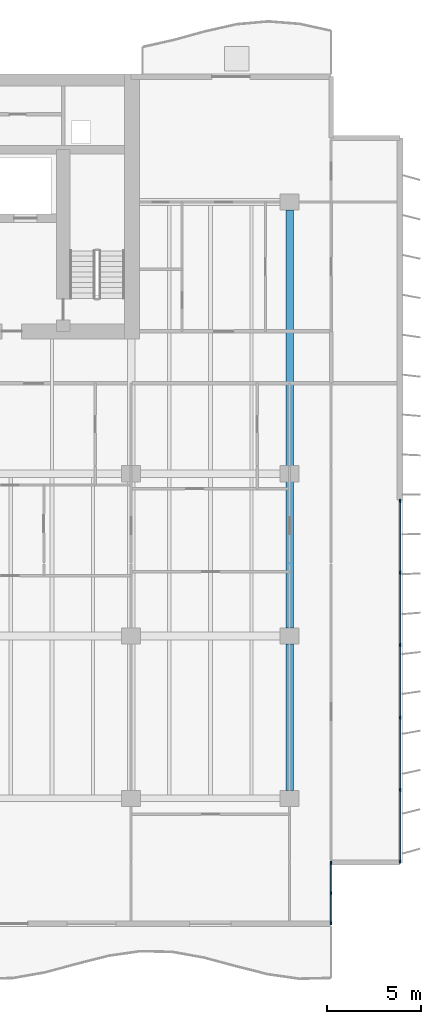
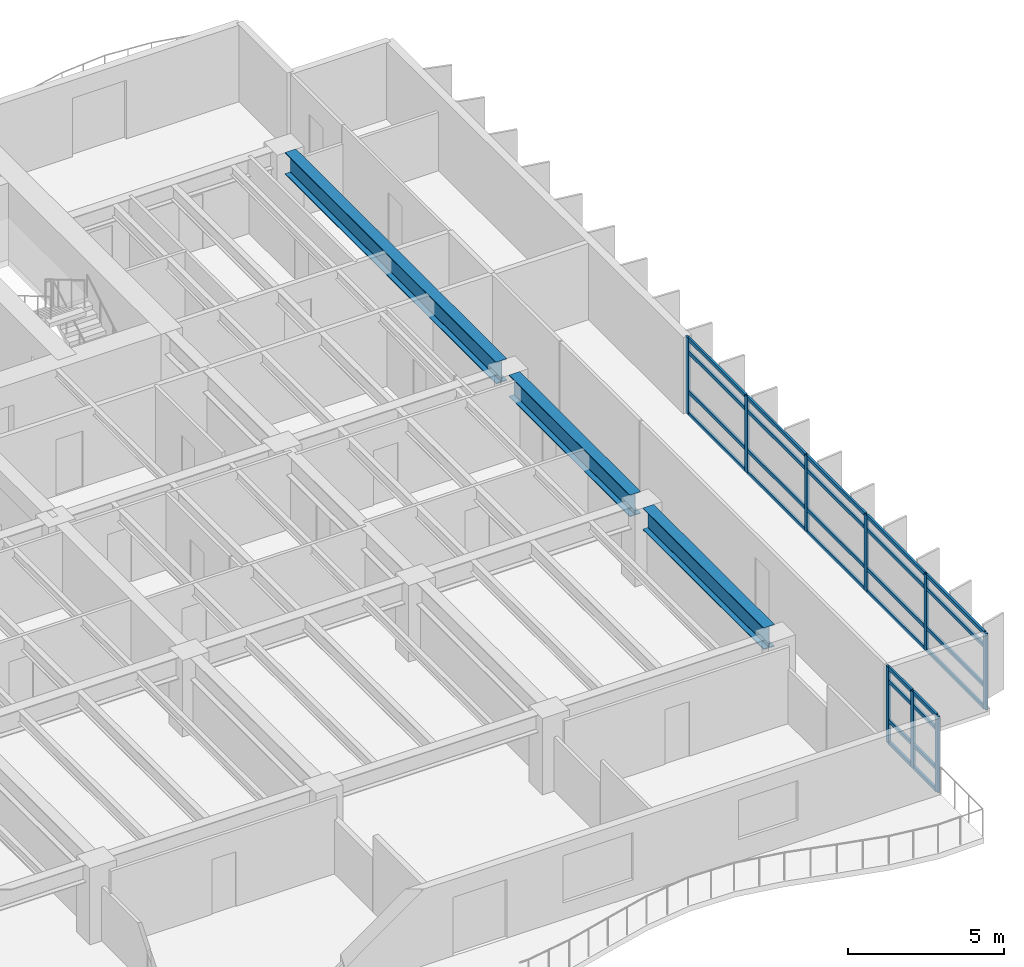
# One storey, part 4 of 16: 37 members, 3 beams, 2 elements without a shape of their own.
"""IFC4 building model written with IfcOpenShell, lengths in metres."""

from ifc_helpers import new_model, si_unit, direction, frame, origin, origin_2d, place, context, subcontext, project, spatial, rectangle, i_section, extrude, material, layer, layer_set, material_profile, profile_set, type_object, element, aggregate, save


model = new_model("IFC4")

# Units and contexts
model_context = context("Model", 3, precision=1e-05, world=origin(), true_north=direction((0.0, 1.0)))
body_context = subcontext(model_context, "Body", "Model", "MODEL_VIEW")
ifc_project = project(units=[si_unit("LENGTHUNIT", "METRE"), si_unit("AREAUNIT", "SQUARE_METRE"), si_unit("VOLUMEUNIT", "CUBIC_METRE"), si_unit("PLANEANGLEUNIT", "RADIAN"), si_unit("MASSUNIT", "GRAM", prefix="KILO")], contexts=[model_context])

# Site, building, storey
site_placement = place(None, origin())
site = spatial("IfcSite", under=ifc_project, at=site_placement, CompositionType="ELEMENT")
building_placement = place(site_placement, origin())
building = spatial("IfcBuilding", under=site, at=building_placement, Name="Caelmar Bay Residences", CompositionType="ELEMENT")
storey_placement = place(building_placement, frame((0.0, 0.0, 148.800048828125)))
storey = spatial("IfcBuildingStorey", under=building, at=storey_placement, Name="L41", CompositionType="ELEMENT", Elevation=148.800048828125)

# Beams
ifc_material_1 = material(Name="Steel ASTM A992 Grade 50", Category="steel")
ifc_material_profile_1 = material_profile(ifc_material_1, i_section(OverallWidth=0.40087890625, OverallDepth=0.861083984375, WebThickness=0.019775390625, FlangeThickness=0.032470703125, FilletRadius=0.017822265625, at=origin_2d()), Name="W33X221")
ifc_profile_set_1 = profile_set([ifc_material_profile_1], Name="Steel ASTM A992 Grade 50")
beam_type = type_object("IfcBeamType", Name="BM-GRD-W33X221", PredefinedType="BEAM", material=ifc_profile_set_1)
for number, where, z_axis, x_axis, name in (
    (1, (67.89990234375, 12.614990234375, 2.5693359375), (0.0, 1.0, 0.0), (-1.0, 0.0, 0.0), "L41 North-South Girder X=67.90 (12.2-20.8)"),
    (2, (67.89990234375, 21.215087890625, 2.5693359375), (0.0, 1.0, 0.0), (-1.0, 0.0, 0.0), "L41 North-South Girder X=67.90 (20.8-29.4)"),
):
    element("IfcBeam", number, at=place(storey_placement, frame(where, z_axis=z_axis, x_axis=x_axis)), inside=storey, type_object=beam_type, Name=name, PredefinedType="BEAM", context=body_context, shape_type="SweptSolid", body=[
        extrude(i_section(OverallWidth=0.40087890625, OverallDepth=0.861083984375, WebThickness=0.019775390625, FlangeThickness=0.032470703125, FilletRadius=0.017822265625, at=origin_2d()), origin(), (0.0, 0.0, 1.0), 7.77001953125),
    ])
beam_placement = place(storey_placement, frame((67.89990234375, 29.81494140625, 2.5693359375), z_axis=(0.0, 1.0, 0.0), x_axis=(-1.0, 0.0, 0.0)))
element("IfcBeam", 3, at=beam_placement, inside=storey, type_object=beam_type, Name="L41 North-South Girder X=67.90 (29.4-43.8)", PredefinedType="BEAM", context=body_context, shape_type="SweptSolid", body=[
    extrude(i_section(OverallWidth=0.40087890625, OverallDepth=0.861083984375, WebThickness=0.019775390625, FlangeThickness=0.032470703125, FilletRadius=0.017822265625, at=origin_2d()), origin(), (0.0, 0.0, 1.0), 13.570068359375),
])

# Curtain wall, members
ifc_material_2 = material(Name="Anodised bronze aluminium 6063-T6 and laminated glass", Category="aluminium")
ifc_layer_1 = layer(ifc_material_2, 0.179931640625)
ifc_layer_set_1 = layer_set([ifc_layer_1], Name="Anodised bronze aluminium 6063-T6 and laminated glass")
curtain_wall_type_1 = type_object("IfcCurtainWallType", Name="CW6-NTC", PredefinedType="NOTDEFINED", material=ifc_layer_set_1)
curtain_wall_1_placement = place(storey_placement, origin())
curtain_wall_1 = element("IfcCurtainWall", 4, at=curtain_wall_1_placement, inside=storey, type_object=curtain_wall_type_1, Name="CW6 curtain wall L41", PredefinedType="NOTDEFINED")
ifc_material_3 = material(Name="Anodised bronze aluminium 6063-T6", Category="aluminium")
ifc_material_profile_2 = material_profile(ifc_material_3, rectangle(XDim=0.080078125, YDim=0.179931640625, at=origin_2d()), Name="CWM-80X180")
ifc_profile_set_2 = profile_set([ifc_material_profile_2], Name="Anodised bronze aluminium 6063-T6")
member_type_1 = type_object("IfcMemberType", Name="CWM-180", PredefinedType="MULLION", material=ifc_profile_set_2)
member_1_placement = place(storey_placement, frame((70.10009765625, 5.590087890625, 0.0), z_axis=(0.0, 0.0, 1.0), x_axis=(-1.0, 0.0, 0.0)))
member_1 = element("IfcMember", 5, at=member_1_placement, type_object=member_type_1, Name="CW6 mullion 1", PredefinedType="MULLION", context=body_context, shape_type="SweptSolid", body=[
    extrude(rectangle(XDim=0.080078125, YDim=0.179931640625, at=origin_2d()), origin(), (0.0, 0.0, 1.0), 3.0),
])
member_2_placement = place(storey_placement, frame((70.10009765625, 7.175048828125, 0.0), z_axis=(0.0, 0.0, 1.0), x_axis=(-1.0, 0.0, 0.0)))
member_2 = element("IfcMember", 6, at=member_2_placement, type_object=member_type_1, Name="CW6 mullion 2", PredefinedType="MULLION", context=body_context, shape_type="SweptSolid", body=[
    extrude(rectangle(XDim=0.080078125, YDim=0.179931640625, at=origin_2d()), origin(), (0.0, 0.0, 1.0), 3.0),
])
member_3_placement = place(storey_placement, frame((70.10009765625, 8.760009765625, 0.0), z_axis=(0.0, 0.0, 1.0), x_axis=(-1.0, 0.0, 0.0)))
member_3 = element("IfcMember", 7, at=member_3_placement, type_object=member_type_1, Name="CW6 mullion 3", PredefinedType="MULLION", context=body_context, shape_type="SweptSolid", body=[
    extrude(rectangle(XDim=0.080078125, YDim=0.179931640625, at=origin_2d()), origin(), (0.0, 0.0, 1.0), 3.0),
])

ifc_layer_2 = layer(ifc_material_2, 0.179931640625)
ifc_layer_set_2 = layer_set([ifc_layer_2], Name="Anodised bronze aluminium 6063-T6 and laminated glass")
curtain_wall_type_2 = type_object("IfcCurtainWallType", Name="CW3-Z2", PredefinedType="NOTDEFINED", material=ifc_layer_set_2)
curtain_wall_2_placement = place(storey_placement, origin())
curtain_wall_2 = element("IfcCurtainWall", 8, at=curtain_wall_2_placement, inside=storey, type_object=curtain_wall_type_2, Name="CW3 curtain wall L41", PredefinedType="NOTDEFINED")
member_4_placement = place(storey_placement, frame((73.75, 27.9599609375, 0.0), z_axis=(0.0, 0.0, 1.0), x_axis=(1.0, 0.0, 0.0)))
member_4 = element("IfcMember", 9, at=member_4_placement, type_object=member_type_1, Name="CW3 mullion 1", PredefinedType="MULLION", context=body_context, shape_type="SweptSolid", body=[
    extrude(rectangle(XDim=0.080078125, YDim=0.179931640625, at=origin_2d()), origin(), (0.0, 0.0, 1.0), 3.0),
])
member_5_placement = place(storey_placement, frame((73.75, 24.159912109375, 0.0), z_axis=(0.0, 0.0, 1.0), x_axis=(1.0, 0.0, 0.0)))
member_5 = element("IfcMember", 10, at=member_5_placement, type_object=member_type_1, Name="CW3 mullion 2", PredefinedType="MULLION", context=body_context, shape_type="SweptSolid", body=[
    extrude(rectangle(XDim=0.080078125, YDim=0.179931640625, at=origin_2d()), origin(), (0.0, 0.0, 1.0), 3.0),
])
member_6_placement = place(storey_placement, frame((73.75, 20.320068359375, 0.0), z_axis=(0.0, 0.0, 1.0), x_axis=(1.0, 0.0, 0.0)))
member_6 = element("IfcMember", 11, at=member_6_placement, type_object=member_type_1, Name="CW3 mullion 3", PredefinedType="MULLION", context=body_context, shape_type="SweptSolid", body=[
    extrude(rectangle(XDim=0.080078125, YDim=0.179931640625, at=origin_2d()), origin(), (0.0, 0.0, 1.0), 3.0),
])
member_7_placement = place(storey_placement, frame((73.75, 16.47998046875, 0.0), z_axis=(0.0, 0.0, 1.0), x_axis=(1.0, 0.0, 0.0)))
member_7 = element("IfcMember", 12, at=member_7_placement, type_object=member_type_1, Name="CW3 mullion 4", PredefinedType="MULLION", context=body_context, shape_type="SweptSolid", body=[
    extrude(rectangle(XDim=0.080078125, YDim=0.179931640625, at=origin_2d()), origin(), (0.0, 0.0, 1.0), 3.0),
])
member_8_placement = place(storey_placement, frame((73.75, 12.639892578125, 0.0), z_axis=(0.0, 0.0, 1.0), x_axis=(1.0, 0.0, 0.0)))
member_8 = element("IfcMember", 13, at=member_8_placement, type_object=member_type_1, Name="CW3 mullion 5", PredefinedType="MULLION", context=body_context, shape_type="SweptSolid", body=[
    extrude(rectangle(XDim=0.080078125, YDim=0.179931640625, at=origin_2d()), origin(), (0.0, 0.0, 1.0), 3.0),
])
member_9_placement = place(storey_placement, frame((73.75, 8.840087890625, 0.0), z_axis=(0.0, 0.0, 1.0), x_axis=(1.0, 0.0, 0.0)))
member_9 = element("IfcMember", 14, at=member_9_placement, type_object=member_type_1, Name="CW3 mullion 6", PredefinedType="MULLION", context=body_context, shape_type="SweptSolid", body=[
    extrude(rectangle(XDim=0.080078125, YDim=0.179931640625, at=origin_2d()), origin(), (0.0, 0.0, 1.0), 3.0),
])

# Member
ifc_material_profile_3 = material_profile(ifc_material_3, rectangle(XDim=0.080078125, YDim=0.139892578125, at=origin_2d()), Name="CWT-80X140")
ifc_profile_set_3 = profile_set([ifc_material_profile_3], Name="Anodised bronze aluminium 6063-T6")
member_type_2 = type_object("IfcMemberType", Name="CWT-140", PredefinedType="NOTDEFINED", material=ifc_profile_set_3)
member_10_placement = place(storey_placement, frame((70.10009765625, 5.6298828125, 0.0400390625), z_axis=(0.0, 1.0, 0.0), x_axis=(-1.0, 0.0, 0.0)))
member_10 = element("IfcMember", 15, at=member_10_placement, type_object=member_type_2, Name="CW6 transom 1.1", ObjectType="TRANSOM", PredefinedType="USERDEFINED", context=body_context, shape_type="SweptSolid", body=[
    extrude(rectangle(XDim=0.080078125, YDim=0.139892578125, at=origin_2d()), origin(), (0.0, 0.0, 1.0), 1.505126953125),
])

member_11_placement = place(storey_placement, frame((70.10009765625, 5.6298828125, 0.89990234375), z_axis=(0.0, 1.0, 0.0), x_axis=(-1.0, 0.0, 0.0)))
member_11 = element("IfcMember", 16, at=member_11_placement, type_object=member_type_2, Name="CW6 transom 1.2", ObjectType="TRANSOM", PredefinedType="USERDEFINED", context=body_context, shape_type="SweptSolid", body=[
    extrude(rectangle(XDim=0.080078125, YDim=0.139892578125, at=origin_2d()), origin(), (0.0, 0.0, 1.0), 1.505126953125),
])

member_12_placement = place(storey_placement, frame((70.10009765625, 5.6298828125, 2.449951171875), z_axis=(0.0, 1.0, 0.0), x_axis=(-1.0, 0.0, 0.0)))
member_12 = element("IfcMember", 17, at=member_12_placement, type_object=member_type_2, Name="CW6 transom 1.3", ObjectType="TRANSOM", PredefinedType="USERDEFINED", context=body_context, shape_type="SweptSolid", body=[
    extrude(rectangle(XDim=0.080078125, YDim=0.139892578125, at=origin_2d()), origin(), (0.0, 0.0, 1.0), 1.505126953125),
])

member_13_placement = place(storey_placement, frame((70.10009765625, 5.6298828125, 2.9599609375), z_axis=(0.0, 1.0, 0.0), x_axis=(-1.0, 0.0, 0.0)))
member_13 = element("IfcMember", 18, at=member_13_placement, type_object=member_type_2, Name="CW6 transom 1.4", ObjectType="TRANSOM", PredefinedType="USERDEFINED", context=body_context, shape_type="SweptSolid", body=[
    extrude(rectangle(XDim=0.080078125, YDim=0.139892578125, at=origin_2d()), origin(), (0.0, 0.0, 1.0), 1.505126953125),
])

member_14_placement = place(storey_placement, frame((70.10009765625, 7.215087890625, 0.0400390625), z_axis=(0.0, 1.0, 0.0), x_axis=(-1.0, 0.0, 0.0)))
member_14 = element("IfcMember", 19, at=member_14_placement, type_object=member_type_2, Name="CW6 transom 2.1", ObjectType="TRANSOM", PredefinedType="USERDEFINED", context=body_context, shape_type="SweptSolid", body=[
    extrude(rectangle(XDim=0.080078125, YDim=0.139892578125, at=origin_2d()), origin(), (0.0, 0.0, 1.0), 1.5048828125),
])

member_15_placement = place(storey_placement, frame((70.10009765625, 7.215087890625, 0.89990234375), z_axis=(0.0, 1.0, 0.0), x_axis=(-1.0, 0.0, 0.0)))
member_15 = element("IfcMember", 20, at=member_15_placement, type_object=member_type_2, Name="CW6 transom 2.2", ObjectType="TRANSOM", PredefinedType="USERDEFINED", context=body_context, shape_type="SweptSolid", body=[
    extrude(rectangle(XDim=0.080078125, YDim=0.139892578125, at=origin_2d()), origin(), (0.0, 0.0, 1.0), 1.5048828125),
])

member_16_placement = place(storey_placement, frame((70.10009765625, 7.215087890625, 2.449951171875), z_axis=(0.0, 1.0, 0.0), x_axis=(-1.0, 0.0, 0.0)))
member_16 = element("IfcMember", 21, at=member_16_placement, type_object=member_type_2, Name="CW6 transom 2.3", ObjectType="TRANSOM", PredefinedType="USERDEFINED", context=body_context, shape_type="SweptSolid", body=[
    extrude(rectangle(XDim=0.080078125, YDim=0.139892578125, at=origin_2d()), origin(), (0.0, 0.0, 1.0), 1.5048828125),
])

member_17_placement = place(storey_placement, frame((70.10009765625, 7.215087890625, 2.9599609375), z_axis=(0.0, 1.0, 0.0), x_axis=(-1.0, 0.0, 0.0)))
member_17 = element("IfcMember", 22, at=member_17_placement, type_object=member_type_2, Name="CW6 transom 2.4", ObjectType="TRANSOM", PredefinedType="USERDEFINED", context=body_context, shape_type="SweptSolid", body=[
    extrude(rectangle(XDim=0.080078125, YDim=0.139892578125, at=origin_2d()), origin(), (0.0, 0.0, 1.0), 1.5048828125),
])

aggregate(curtain_wall_1, [member_1, member_2, member_3, member_10, member_11, member_12, member_13, member_14, member_15, member_16, member_17])

member_18_placement = place(storey_placement, frame((73.75, 27.919921875, 0.0400390625), z_axis=(0.0, -1.0, 0.0), x_axis=(1.0, 0.0, 0.0)))
member_18 = element("IfcMember", 23, at=member_18_placement, type_object=member_type_2, Name="CW3 transom 1.1", ObjectType="TRANSOM", PredefinedType="USERDEFINED", context=body_context, shape_type="SweptSolid", body=[
    extrude(rectangle(XDim=0.080078125, YDim=0.139892578125, at=origin_2d()), origin(), (0.0, 0.0, 1.0), 3.719970703125),
])

member_19_placement = place(storey_placement, frame((73.75, 27.919921875, 0.89990234375), z_axis=(0.0, -1.0, 0.0), x_axis=(1.0, 0.0, 0.0)))
member_19 = element("IfcMember", 24, at=member_19_placement, type_object=member_type_2, Name="CW3 transom 1.2", ObjectType="TRANSOM", PredefinedType="USERDEFINED", context=body_context, shape_type="SweptSolid", body=[
    extrude(rectangle(XDim=0.080078125, YDim=0.139892578125, at=origin_2d()), origin(), (0.0, 0.0, 1.0), 3.719970703125),
])

member_20_placement = place(storey_placement, frame((73.75, 27.919921875, 2.449951171875), z_axis=(0.0, -1.0, 0.0), x_axis=(1.0, 0.0, 0.0)))
member_20 = element("IfcMember", 25, at=member_20_placement, type_object=member_type_2, Name="CW3 transom 1.3", ObjectType="TRANSOM", PredefinedType="USERDEFINED", context=body_context, shape_type="SweptSolid", body=[
    extrude(rectangle(XDim=0.080078125, YDim=0.139892578125, at=origin_2d()), origin(), (0.0, 0.0, 1.0), 3.719970703125),
])

member_21_placement = place(storey_placement, frame((73.75, 27.919921875, 2.9599609375), z_axis=(0.0, -1.0, 0.0), x_axis=(1.0, 0.0, 0.0)))
member_21 = element("IfcMember", 26, at=member_21_placement, type_object=member_type_2, Name="CW3 transom 1.4", ObjectType="TRANSOM", PredefinedType="USERDEFINED", context=body_context, shape_type="SweptSolid", body=[
    extrude(rectangle(XDim=0.080078125, YDim=0.139892578125, at=origin_2d()), origin(), (0.0, 0.0, 1.0), 3.719970703125),
])

member_22_placement = place(storey_placement, frame((73.75, 24.1201171875, 0.0400390625), z_axis=(0.0, -1.0, 0.0), x_axis=(1.0, 0.0, 0.0)))
member_22 = element("IfcMember", 27, at=member_22_placement, type_object=member_type_2, Name="CW3 transom 2.1", ObjectType="TRANSOM", PredefinedType="USERDEFINED", context=body_context, shape_type="SweptSolid", body=[
    extrude(rectangle(XDim=0.080078125, YDim=0.139892578125, at=origin_2d()), origin(), (0.0, 0.0, 1.0), 3.760009765625),
])

member_23_placement = place(storey_placement, frame((73.75, 24.1201171875, 0.89990234375), z_axis=(0.0, -1.0, 0.0), x_axis=(1.0, 0.0, 0.0)))
member_23 = element("IfcMember", 28, at=member_23_placement, type_object=member_type_2, Name="CW3 transom 2.2", ObjectType="TRANSOM", PredefinedType="USERDEFINED", context=body_context, shape_type="SweptSolid", body=[
    extrude(rectangle(XDim=0.080078125, YDim=0.139892578125, at=origin_2d()), origin(), (0.0, 0.0, 1.0), 3.760009765625),
])

member_24_placement = place(storey_placement, frame((73.75, 24.1201171875, 2.449951171875), z_axis=(0.0, -1.0, 0.0), x_axis=(1.0, 0.0, 0.0)))
member_24 = element("IfcMember", 29, at=member_24_placement, type_object=member_type_2, Name="CW3 transom 2.3", ObjectType="TRANSOM", PredefinedType="USERDEFINED", context=body_context, shape_type="SweptSolid", body=[
    extrude(rectangle(XDim=0.080078125, YDim=0.139892578125, at=origin_2d()), origin(), (0.0, 0.0, 1.0), 3.760009765625),
])

member_25_placement = place(storey_placement, frame((73.75, 24.1201171875, 2.9599609375), z_axis=(0.0, -1.0, 0.0), x_axis=(1.0, 0.0, 0.0)))
member_25 = element("IfcMember", 30, at=member_25_placement, type_object=member_type_2, Name="CW3 transom 2.4", ObjectType="TRANSOM", PredefinedType="USERDEFINED", context=body_context, shape_type="SweptSolid", body=[
    extrude(rectangle(XDim=0.080078125, YDim=0.139892578125, at=origin_2d()), origin(), (0.0, 0.0, 1.0), 3.760009765625),
])

member_26_placement = place(storey_placement, frame((73.75, 20.280029296875, 0.0400390625), z_axis=(0.0, -1.0, 0.0), x_axis=(1.0, 0.0, 0.0)))
member_26 = element("IfcMember", 31, at=member_26_placement, type_object=member_type_2, Name="CW3 transom 3.1", ObjectType="TRANSOM", PredefinedType="USERDEFINED", context=body_context, shape_type="SweptSolid", body=[
    extrude(rectangle(XDim=0.080078125, YDim=0.139892578125, at=origin_2d()), origin(), (0.0, 0.0, 1.0), 3.760009765625),
])

member_27_placement = place(storey_placement, frame((73.75, 20.280029296875, 0.89990234375), z_axis=(0.0, -1.0, 0.0), x_axis=(1.0, 0.0, 0.0)))
member_27 = element("IfcMember", 32, at=member_27_placement, type_object=member_type_2, Name="CW3 transom 3.2", ObjectType="TRANSOM", PredefinedType="USERDEFINED", context=body_context, shape_type="SweptSolid", body=[
    extrude(rectangle(XDim=0.080078125, YDim=0.139892578125, at=origin_2d()), origin(), (0.0, 0.0, 1.0), 3.760009765625),
])

member_28_placement = place(storey_placement, frame((73.75, 20.280029296875, 2.449951171875), z_axis=(0.0, -1.0, 0.0), x_axis=(1.0, 0.0, 0.0)))
member_28 = element("IfcMember", 33, at=member_28_placement, type_object=member_type_2, Name="CW3 transom 3.3", ObjectType="TRANSOM", PredefinedType="USERDEFINED", context=body_context, shape_type="SweptSolid", body=[
    extrude(rectangle(XDim=0.080078125, YDim=0.139892578125, at=origin_2d()), origin(), (0.0, 0.0, 1.0), 3.760009765625),
])

member_29_placement = place(storey_placement, frame((73.75, 20.280029296875, 2.9599609375), z_axis=(0.0, -1.0, 0.0), x_axis=(1.0, 0.0, 0.0)))
member_29 = element("IfcMember", 34, at=member_29_placement, type_object=member_type_2, Name="CW3 transom 3.4", ObjectType="TRANSOM", PredefinedType="USERDEFINED", context=body_context, shape_type="SweptSolid", body=[
    extrude(rectangle(XDim=0.080078125, YDim=0.139892578125, at=origin_2d()), origin(), (0.0, 0.0, 1.0), 3.760009765625),
])

member_30_placement = place(storey_placement, frame((73.75, 16.43994140625, 0.0400390625), z_axis=(0.0, -1.0, 0.0), x_axis=(1.0, 0.0, 0.0)))
member_30 = element("IfcMember", 35, at=member_30_placement, type_object=member_type_2, Name="CW3 transom 4.1", ObjectType="TRANSOM", PredefinedType="USERDEFINED", context=body_context, shape_type="SweptSolid", body=[
    extrude(rectangle(XDim=0.080078125, YDim=0.139892578125, at=origin_2d()), origin(), (0.0, 0.0, 1.0), 3.760009765625),
])

member_31_placement = place(storey_placement, frame((73.75, 16.43994140625, 0.89990234375), z_axis=(0.0, -1.0, 0.0), x_axis=(1.0, 0.0, 0.0)))
member_31 = element("IfcMember", 36, at=member_31_placement, type_object=member_type_2, Name="CW3 transom 4.2", ObjectType="TRANSOM", PredefinedType="USERDEFINED", context=body_context, shape_type="SweptSolid", body=[
    extrude(rectangle(XDim=0.080078125, YDim=0.139892578125, at=origin_2d()), origin(), (0.0, 0.0, 1.0), 3.760009765625),
])

member_32_placement = place(storey_placement, frame((73.75, 16.43994140625, 2.449951171875), z_axis=(0.0, -1.0, 0.0), x_axis=(1.0, 0.0, 0.0)))
member_32 = element("IfcMember", 37, at=member_32_placement, type_object=member_type_2, Name="CW3 transom 4.3", ObjectType="TRANSOM", PredefinedType="USERDEFINED", context=body_context, shape_type="SweptSolid", body=[
    extrude(rectangle(XDim=0.080078125, YDim=0.139892578125, at=origin_2d()), origin(), (0.0, 0.0, 1.0), 3.760009765625),
])

member_33_placement = place(storey_placement, frame((73.75, 16.43994140625, 2.9599609375), z_axis=(0.0, -1.0, 0.0), x_axis=(1.0, 0.0, 0.0)))
member_33 = element("IfcMember", 38, at=member_33_placement, type_object=member_type_2, Name="CW3 transom 4.4", ObjectType="TRANSOM", PredefinedType="USERDEFINED", context=body_context, shape_type="SweptSolid", body=[
    extrude(rectangle(XDim=0.080078125, YDim=0.139892578125, at=origin_2d()), origin(), (0.0, 0.0, 1.0), 3.760009765625),
])

member_34_placement = place(storey_placement, frame((73.75, 12.60009765625, 0.0400390625), z_axis=(0.0, -1.0, 0.0), x_axis=(1.0, 0.0, 0.0)))
member_34 = element("IfcMember", 39, at=member_34_placement, type_object=member_type_2, Name="CW3 transom 5.1", ObjectType="TRANSOM", PredefinedType="USERDEFINED", context=body_context, shape_type="SweptSolid", body=[
    extrude(rectangle(XDim=0.080078125, YDim=0.139892578125, at=origin_2d()), origin(), (0.0, 0.0, 1.0), 3.72021484375),
])

member_35_placement = place(storey_placement, frame((73.75, 12.60009765625, 0.89990234375), z_axis=(0.0, -1.0, 0.0), x_axis=(1.0, 0.0, 0.0)))
member_35 = element("IfcMember", 40, at=member_35_placement, type_object=member_type_2, Name="CW3 transom 5.2", ObjectType="TRANSOM", PredefinedType="USERDEFINED", context=body_context, shape_type="SweptSolid", body=[
    extrude(rectangle(XDim=0.080078125, YDim=0.139892578125, at=origin_2d()), origin(), (0.0, 0.0, 1.0), 3.72021484375),
])

member_36_placement = place(storey_placement, frame((73.75, 12.60009765625, 2.449951171875), z_axis=(0.0, -1.0, 0.0), x_axis=(1.0, 0.0, 0.0)))
member_36 = element("IfcMember", 41, at=member_36_placement, type_object=member_type_2, Name="CW3 transom 5.3", ObjectType="TRANSOM", PredefinedType="USERDEFINED", context=body_context, shape_type="SweptSolid", body=[
    extrude(rectangle(XDim=0.080078125, YDim=0.139892578125, at=origin_2d()), origin(), (0.0, 0.0, 1.0), 3.72021484375),
])

member_37_placement = place(storey_placement, frame((73.75, 12.60009765625, 2.9599609375), z_axis=(0.0, -1.0, 0.0), x_axis=(1.0, 0.0, 0.0)))
member_37 = element("IfcMember", 42, at=member_37_placement, type_object=member_type_2, Name="CW3 transom 5.4", ObjectType="TRANSOM", PredefinedType="USERDEFINED", context=body_context, shape_type="SweptSolid", body=[
    extrude(rectangle(XDim=0.080078125, YDim=0.139892578125, at=origin_2d()), origin(), (0.0, 0.0, 1.0), 3.72021484375),
])

aggregate(curtain_wall_2, [member_4, member_5, member_6, member_7, member_8, member_9, member_18, member_19, member_20, member_21, member_22, member_23, member_24, member_25, member_26, member_27, member_28, member_29, member_30, member_31, member_32, member_33, member_34, member_35, member_36, member_37])

save(model, "model.ifc")
